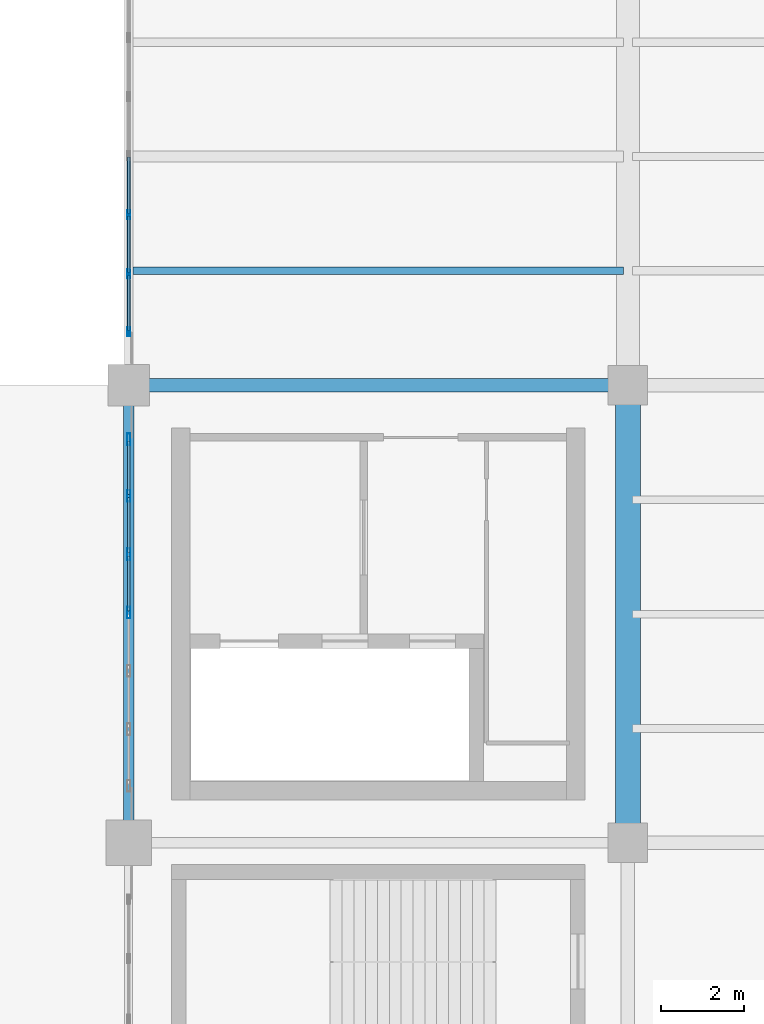
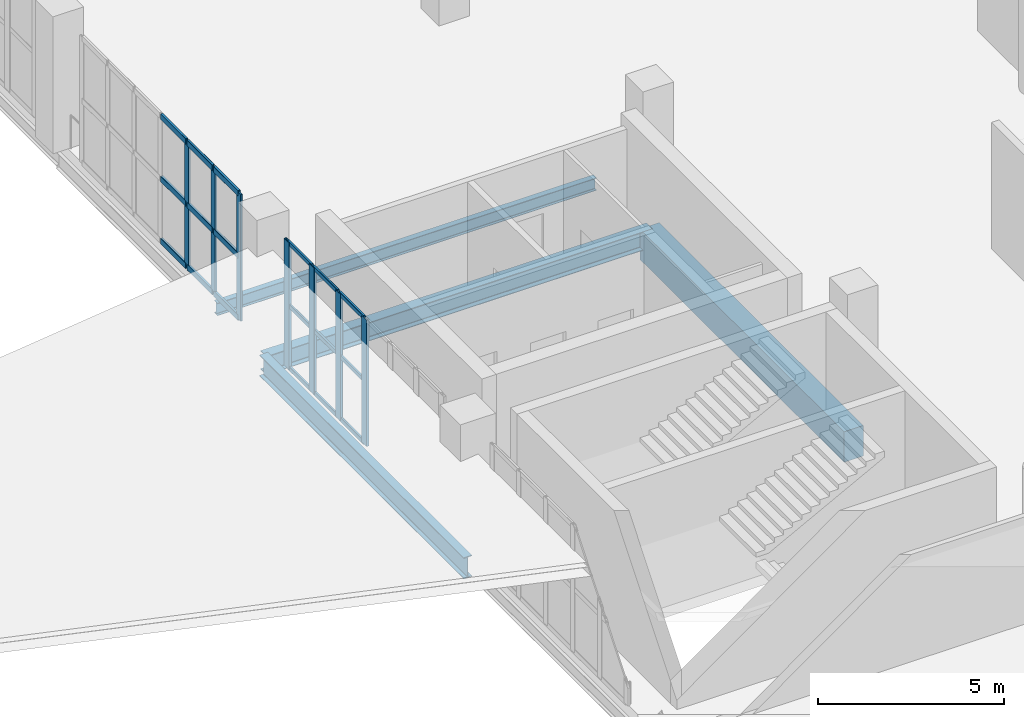
# One storey, part 24 of 90: 25 members, 4 beams, 2 elements without a shape of their own.
"""IFC4 building model written with IfcOpenShell, lengths in metres."""

import ifcopenshell
import ifcopenshell.guid

model = None  # the IFC model being written
_history = None  # IfcOwnerHistory: only IFC2X3 demands one
_inside = {}  # id of a spatial element -> (the spatial element, [elements in it])
_under = {}  # id of a project, library or spatial element -> (it, [spatial elements below it])
_declared = {}  # id of a project -> (the project, [libraries it declares])
_typed = {}  # id of a type object -> (the type object, [elements of that type])
_made_of = {}  # id of a material, layer set ... -> (it, [elements and type objects made of it])


def new_model(schema):
    """Start an empty IFC model of exactly this schema.

    Asked for "IFC4X3", IfcOpenShell would pick the latest addendum, in which some entities
    have other attributes; the version numbers below select the first issue.
    IFC2X3 requires an IfcOwnerHistory on every rooted entity: one is made here for all.
    """
    global model, _history
    if schema == "IFC4X3":
        model = ifcopenshell.file(schema_version=(4, 3, 0, 0))
    else:
        model = ifcopenshell.file(schema=schema)
    _inside.clear()
    _under.clear()
    _declared.clear()
    _typed.clear()
    _made_of.clear()
    _history = None
    if model.schema == "IFC2X3":
        org = make("IfcOrganization", Name="unknown")
        user = make(
            "IfcPersonAndOrganization",
            ThePerson=make("IfcPerson", FamilyName="unknown"),
            TheOrganization=org,
        )
        app = make(
            "IfcApplication",
            ApplicationDeveloper=org,
            Version="unknown",
            ApplicationFullName="unknown",
            ApplicationIdentifier="unknown",
        )
        _history = make(
            "IfcOwnerHistory",
            OwningUser=user,
            OwningApplication=app,
            ChangeAction="ADDED",
            CreationDate=0,
        )
    return model


def make(cls, **values):
    """One entity of the class cls with the attributes given. An attribute that is None is left unset."""
    return model.create_entity(
        cls, **{name: value for name, value in values.items() if value is not None}
    )


def rooted(cls, **values):
    """An entity with a GlobalId (a new one), such as an element, a storey or a relation."""
    return make(cls, GlobalId=ifcopenshell.guid.new(), OwnerHistory=_history, **values)


def si_unit(unit_type, name, prefix=None):
    """IfcSIUnit, for example si_unit("LENGTHUNIT", "METRE", prefix="MILLI")."""
    return make("IfcSIUnit", UnitType=unit_type, Prefix=prefix, Name=name)


def assignment(units):
    """IfcUnitAssignment: the units of a project."""
    return None if units is None else make("IfcUnitAssignment", Units=units)


def point(xyz):
    """IfcCartesianPoint."""
    return None if xyz is None else make("IfcCartesianPoint", Coordinates=xyz)


def direction(xyz):
    """IfcDirection."""
    return None if xyz is None else make("IfcDirection", DirectionRatios=xyz)


def frame(location, z_axis=None, x_axis=None):
    """IfcAxis2Placement3D, a coordinate frame: its origin and axes. An axis left out is left unset."""
    return make(
        "IfcAxis2Placement3D",
        Location=point(location),
        Axis=direction(z_axis),
        RefDirection=direction(x_axis),
    )


def frame_2d(location, x_axis=None):
    """IfcAxis2Placement2D, a coordinate frame in the plane: its origin and x axis."""
    return make(
        "IfcAxis2Placement2D", Location=point(location), RefDirection=direction(x_axis)
    )


def origin():
    """The frame at (0, 0, 0) with its axes left unset."""
    return frame((0.0, 0.0, 0.0))


def origin_2d():
    """The frame at (0, 0) in the plane with its x axis left unset."""
    return frame_2d((0.0, 0.0))


def place(relative_to, where):
    """IfcLocalPlacement: puts the frame where relative to a parent placement (None: the world)."""
    return make(
        "IfcLocalPlacement", PlacementRelTo=relative_to, RelativePlacement=where
    )


def context(
    kind, dimensions, precision=None, world=None, true_north=None, identifier=None
):
    """IfcGeometricRepresentationContext, for example the 3D "Model" context."""
    return make(
        "IfcGeometricRepresentationContext",
        ContextIdentifier=identifier,
        ContextType=kind,
        CoordinateSpaceDimension=dimensions,
        Precision=precision,
        WorldCoordinateSystem=world,
        TrueNorth=true_north,
    )


def subcontext(parent, identifier, kind, view, scale=None):
    """IfcGeometricRepresentationSubContext, for example "Body" below "Model"."""
    return make(
        "IfcGeometricRepresentationSubContext",
        ContextIdentifier=identifier,
        ContextType=kind,
        ParentContext=parent,
        TargetScale=scale,
        TargetView=view,
    )


def project(units=None, contexts=None):
    """IfcProject with its units and contexts."""
    return rooted(
        "IfcProject",
        Name="project",
        RepresentationContexts=contexts,
        UnitsInContext=assignment(units),
    )


def spatial(cls, under=None, at=None, **own):
    """A site, building, storey or space (cls), placed at a placement, below another one or the project."""
    s = rooted(cls, ObjectPlacement=at, **own)
    if under is not None:
        _under.setdefault(under.id(), (under, []))[1].append(s)
    return s


def profile(cls, at=None, kind="AREA", **sizes):
    """A parametric profile (cls). Its sizes go by their IFC names, for example OverallWidth=200.0."""
    return make(cls, ProfileType=kind, Position=at, **sizes)


def rectangle(**sizes):
    """IfcRectangleProfileDef."""
    return profile("IfcRectangleProfileDef", **sizes)


def hollow_rectangle(**sizes):
    """IfcRectangleHollowProfileDef."""
    return profile("IfcRectangleHollowProfileDef", **sizes)


def i_section(**sizes):
    """IfcIShapeProfileDef."""
    return profile("IfcIShapeProfileDef", **sizes)


def extrude(swept, where, along, depth):
    """IfcExtrudedAreaSolid: the profile swept, set in the frame where, extruded along a direction by depth."""
    return make(
        "IfcExtrudedAreaSolid",
        SweptArea=swept,
        Position=where,
        ExtrudedDirection=direction(along),
        Depth=depth,
    )


def shape(context_of_items, identifier, shape_type, items):
    """IfcShapeRepresentation: the items that make up one representation, for example the "Body"."""
    return make(
        "IfcShapeRepresentation",
        ContextOfItems=context_of_items,
        RepresentationIdentifier=identifier,
        RepresentationType=shape_type,
        Items=items,
    )


def material(Name=None, Category=None):
    """IfcMaterial."""
    return make("IfcMaterial", Name=Name, Category=Category)


def layer(
    of_material, thickness, ventilated=None, Name=None, Category=None, Priority=None
):
    """IfcMaterialLayer: one layer of a wall or slab, of a material (None: an air gap)."""
    return make(
        "IfcMaterialLayer",
        Material=of_material,
        LayerThickness=thickness,
        IsVentilated=ventilated,
        Name=Name,
        Category=Category,
        Priority=Priority,
    )


def layer_set(layers, Name=None):
    """IfcMaterialLayerSet."""
    return make("IfcMaterialLayerSet", MaterialLayers=layers, LayerSetName=Name)


def material_profile(
    of_material, cross_section, Name=None, Category=None, Priority=None
):
    """IfcMaterialProfile: a cross section and its material."""
    return make(
        "IfcMaterialProfile",
        Name=Name,
        Material=of_material,
        Profile=cross_section,
        Priority=Priority,
        Category=Category,
    )


def profile_set(profiles, Name=None, composite=None):
    """IfcMaterialProfileSet."""
    return make(
        "IfcMaterialProfileSet",
        Name=Name,
        MaterialProfiles=profiles,
        CompositeProfile=composite,
    )


def made_of(thing, what):
    """Note that an element or type object is made of a material, layer set ...; save() writes the relation."""
    if what is not None:
        _made_of.setdefault(what.id(), (what, []))[1].append(thing)
    return thing


def type_object(cls, material=None, **own):
    """A type object (cls), such as IfcWallType, which elements share."""
    return made_of(rooted(cls, **own), material)


def element(
    cls,
    number,
    at=None,
    inside=None,
    cuts=None,
    type_object=None,
    material=None,
    context=None,
    identifier="Body",
    shape_type=None,
    held_by="IfcProductDefinitionShape",
    body=None,
    shapes=None,
    **own,
):
    """One element of the class cls, such as IfcWall. Its Tag is "e" and its number.

    at: its placement. inside: the storey or other place that contains it. cuts: it is an
    opening in that element (IfcRelVoidsElement). A single representation is given by context,
    identifier, shape_type and body (its items); several are given by shapes. held_by: the class
    of the entity that holds the representations. save() writes the other relations.
    """
    e = rooted(cls, Tag="e%d" % number, ObjectPlacement=at, **own)
    if body is not None:
        shapes = [shape(context, identifier, shape_type, body)]
    if shapes is not None:
        e.Representation = make(held_by, Representations=shapes)
    if inside is not None:
        _inside.setdefault(inside.id(), (inside, []))[1].append(e)
    if cuts is not None:
        rooted(
            "IfcRelVoidsElement", RelatingBuildingElement=cuts, RelatedOpeningElement=e
        )
    if type_object is not None:
        _typed.setdefault(type_object.id(), (type_object, []))[1].append(e)
    return made_of(e, material)


def aggregate(whole, parts):
    """IfcRelAggregates: a whole, such as a stair, and the parts it consists of."""
    return rooted("IfcRelAggregates", RelatingObject=whole, RelatedObjects=parts)


def save(model, path):
    """Write the relations noted so far, then the file.

    IfcRelAggregates (storeys below a building ...), IfcRelContainedInSpatialStructure (elements
    in a storey), IfcRelDefinesByType, IfcRelAssociatesMaterial and IfcRelDeclares: one each for
    every whole, place, type object, material and project.
    """
    for whole, parts in _under.values():
        aggregate(whole, parts)
    for where, things in _inside.values():
        rooted(
            "IfcRelContainedInSpatialStructure",
            RelatedElements=things,
            RelatingStructure=where,
        )
    for kind, things in _typed.values():
        rooted("IfcRelDefinesByType", RelatedObjects=things, RelatingType=kind)
    for what, things in _made_of.values():
        rooted("IfcRelAssociatesMaterial", RelatedObjects=things, RelatingMaterial=what)
    for by, libraries in _declared.values():
        rooted("IfcRelDeclares", RelatingContext=by, RelatedDefinitions=libraries)
    model.write(path)


model = new_model("IFC4")

# Units and contexts
model_context = context("Model", 3, precision=1e-05, world=origin(), true_north=direction((0.0, 1.0)))
body_context = subcontext(model_context, "Body", "Model", "MODEL_VIEW")
ifc_project = project(units=[si_unit("LENGTHUNIT", "METRE"), si_unit("AREAUNIT", "SQUARE_METRE"), si_unit("VOLUMEUNIT", "CUBIC_METRE"), si_unit("PLANEANGLEUNIT", "RADIAN"), si_unit("MASSUNIT", "GRAM", prefix="KILO")], contexts=[model_context])

# Site, building, storey
site_placement = place(None, origin())
site = spatial("IfcSite", under=ifc_project, at=site_placement, CompositionType="ELEMENT")
building_placement = place(site_placement, origin())
building = spatial("IfcBuilding", under=site, at=building_placement, Name="Brinegate Civic Arena", CompositionType="ELEMENT")
storey_placement = place(building_placement, frame((0.0, 0.0, 14.699951171875)))
storey = spatial("IfcBuildingStorey", under=building, at=storey_placement, Name="L03", CompositionType="ELEMENT", Elevation=14.699951171875)

# Curtain wall, members
ifc_material_1 = material(Name="Marine grade aluminium", Category="aluminium")
ifc_layer = layer(ifc_material_1, 0.199951171875, Name="Marine grade aluminium")
ifc_layer_set = layer_set([ifc_layer], Name="Marine grade aluminium")
curtain_wall_type = type_object("IfcCurtainWallType", Name="CW-BOWL-GLAZED-01", PredefinedType="USERDEFINED", material=ifc_layer_set)
curtain_wall_1_placement = place(storey_placement, origin())
curtain_wall_1 = element("IfcCurtainWall", 1, at=curtain_wall_1_placement, inside=storey, type_object=curtain_wall_type, Name="Curtain Wall CWA-121", ObjectType="GLAZED CURTAIN WALL", PredefinedType="USERDEFINED")
ifc_material_profile_1 = material_profile(ifc_material_1, hollow_rectangle(XDim=0.06494140625, YDim=0.219970703125, WallThickness=0.006103515625, InnerFilletRadius=0.00390625, OuterFilletRadius=0.008056640625, at=origin_2d()), Name="MUL65X220")
ifc_profile_set_1 = profile_set([ifc_material_profile_1], Name="Marine grade aluminium")
member_type_1 = type_object("IfcMemberType", Name="CW-MULLION-65X220", PredefinedType="MULLION", material=ifc_profile_set_1)
member_1_placement = place(storey_placement, frame((48.0, 94.28955078125, 0.0), z_axis=(0.0, 0.0, 1.0), x_axis=(-1.0, 0.0, 0.0)))
member_1 = element("IfcMember", 2, at=member_1_placement, type_object=member_type_1, Name="CWA-121 mullion 1", PredefinedType="MULLION", context=body_context, shape_type="SweptSolid", body=[
    extrude(hollow_rectangle(XDim=0.06494140625, YDim=0.219970703125, WallThickness=0.006103515625, InnerFilletRadius=0.00390625, OuterFilletRadius=0.008056640625, at=origin_2d()), origin(), (0.0, 0.0, 1.0), 4.16015625),
])
member_2_placement = place(storey_placement, frame((48.0, 95.67724609375, 0.0), z_axis=(0.0, 0.0, 1.0), x_axis=(-1.0, 0.0, 0.0)))
member_2 = element("IfcMember", 3, at=member_2_placement, type_object=member_type_1, Name="CWA-121 mullion 2", PredefinedType="MULLION", context=body_context, shape_type="SweptSolid", body=[
    extrude(hollow_rectangle(XDim=0.06494140625, YDim=0.219970703125, WallThickness=0.006103515625, InnerFilletRadius=0.00390625, OuterFilletRadius=0.008056640625, at=origin_2d()), origin(), (0.0, 0.0, 1.0), 4.16015625),
])
member_3_placement = place(storey_placement, frame((48.0, 97.097412109375, 0.0), z_axis=(0.0, 0.0, 1.0), x_axis=(-1.0, 0.0, 0.0)))
member_3 = element("IfcMember", 4, at=member_3_placement, type_object=member_type_1, Name="CWA-121 mullion 3", PredefinedType="MULLION", context=body_context, shape_type="SweptSolid", body=[
    extrude(hollow_rectangle(XDim=0.06494140625, YDim=0.219970703125, WallThickness=0.006103515625, InnerFilletRadius=0.00390625, OuterFilletRadius=0.008056640625, at=origin_2d()), origin(), (0.0, 0.0, 1.0), 4.16015625),
])

curtain_wall_2_placement = place(storey_placement, origin())
curtain_wall_2 = element("IfcCurtainWall", 5, at=curtain_wall_2_placement, inside=storey, type_object=curtain_wall_type, Name="Curtain Wall CWA-119", ObjectType="GLAZED CURTAIN WALL", PredefinedType="USERDEFINED")
ifc_material_profile_2 = material_profile(ifc_material_1, hollow_rectangle(XDim=0.080078125, YDim=0.280029296875, WallThickness=0.007080078125, InnerFilletRadius=0.0048828125, OuterFilletRadius=0.010009765625, at=origin_2d()), Name="MUL80X280")
ifc_profile_set_2 = profile_set([ifc_material_profile_2], Name="Marine grade aluminium")
member_type_2 = type_object("IfcMemberType", Name="CW-MULLION-80X280", PredefinedType="MULLION", material=ifc_profile_set_2)
member_4_placement = place(storey_placement, frame((48.0, 87.535400390625, 0.0), z_axis=(0.0, 0.0, 1.0), x_axis=(-1.0, 0.0, 0.0)))
member_4 = element("IfcMember", 6, at=member_4_placement, type_object=member_type_2, Name="CWA-119 mullion 4", PredefinedType="MULLION", context=body_context, shape_type="SweptSolid", body=[
    extrude(hollow_rectangle(XDim=0.080078125, YDim=0.280029296875, WallThickness=0.007080078125, InnerFilletRadius=0.0048828125, OuterFilletRadius=0.010009765625, at=origin_2d()), origin(), (0.0, 0.0, 1.0), 4.16015625),
])
member_5_placement = place(storey_placement, frame((48.0, 88.93798828125, 0.0), z_axis=(0.0, 0.0, 1.0), x_axis=(-1.0, 0.0, 0.0)))
member_5 = element("IfcMember", 7, at=member_5_placement, type_object=member_type_2, Name="CWA-119 mullion 5", PredefinedType="MULLION", context=body_context, shape_type="SweptSolid", body=[
    extrude(hollow_rectangle(XDim=0.080078125, YDim=0.280029296875, WallThickness=0.007080078125, InnerFilletRadius=0.0048828125, OuterFilletRadius=0.010009765625, at=origin_2d()), origin(), (0.0, 0.0, 1.0), 4.16015625),
])
member_6_placement = place(storey_placement, frame((48.0, 90.340576171875, 0.0), z_axis=(0.0, 0.0, 1.0), x_axis=(-1.0, 0.0, 0.0)))
member_6 = element("IfcMember", 8, at=member_6_placement, type_object=member_type_2, Name="CWA-119 mullion 6", PredefinedType="MULLION", context=body_context, shape_type="SweptSolid", body=[
    extrude(hollow_rectangle(XDim=0.080078125, YDim=0.280029296875, WallThickness=0.007080078125, InnerFilletRadius=0.0048828125, OuterFilletRadius=0.010009765625, at=origin_2d()), origin(), (0.0, 0.0, 1.0), 4.16015625),
])
member_7_placement = place(storey_placement, frame((48.0, 91.702880859375, 0.0), z_axis=(0.0, 0.0, 1.0), x_axis=(-1.0, 0.0, 0.0)))
member_7 = element("IfcMember", 9, at=member_7_placement, type_object=member_type_2, Name="CWA-119 mullion 7", PredefinedType="MULLION", context=body_context, shape_type="SweptSolid", body=[
    extrude(hollow_rectangle(XDim=0.080078125, YDim=0.280029296875, WallThickness=0.007080078125, InnerFilletRadius=0.0048828125, OuterFilletRadius=0.010009765625, at=origin_2d()), origin(), (0.0, 0.0, 1.0), 4.16015625),
])
ifc_material_profile_3 = material_profile(ifc_material_1, hollow_rectangle(XDim=0.06494140625, YDim=0.139892578125, WallThickness=0.0048828125, InnerFilletRadius=0.00390625, OuterFilletRadius=0.008056640625, at=origin_2d()), Name="TRN65X140")
ifc_profile_set_3 = profile_set([ifc_material_profile_3], Name="Marine grade aluminium")
member_type_3 = type_object("IfcMemberType", Name="CW-TRANSOM-65X140", PredefinedType="USERDEFINED", material=ifc_profile_set_3)
member_8_placement = place(storey_placement, frame((48.0, 87.575439453125, 0.032470703125), z_axis=(0.0, 1.0, 0.0), x_axis=(-1.0, 0.0, 0.0)))
member_8 = element("IfcMember", 10, at=member_8_placement, type_object=member_type_3, Name="CWA-119 transom 4.1", ObjectType="TRANSOM", PredefinedType="USERDEFINED", context=body_context, shape_type="SweptSolid", body=[
    extrude(hollow_rectangle(XDim=0.06494140625, YDim=0.139892578125, WallThickness=0.0048828125, InnerFilletRadius=0.00390625, OuterFilletRadius=0.008056640625, at=origin_2d()), origin(), (0.0, 0.0, 1.0), 1.322509765625),
])
member_9_placement = place(storey_placement, frame((48.0, 87.575439453125, 2.080078125), z_axis=(0.0, 1.0, 0.0), x_axis=(-1.0, 0.0, 0.0)))
member_9 = element("IfcMember", 11, at=member_9_placement, type_object=member_type_3, Name="CWA-119 transom 4.2", ObjectType="TRANSOM", PredefinedType="USERDEFINED", context=body_context, shape_type="SweptSolid", body=[
    extrude(hollow_rectangle(XDim=0.06494140625, YDim=0.139892578125, WallThickness=0.0048828125, InnerFilletRadius=0.00390625, OuterFilletRadius=0.008056640625, at=origin_2d()), origin(), (0.0, 0.0, 1.0), 1.322509765625),
])
member_10_placement = place(storey_placement, frame((48.0, 87.575439453125, 4.12744140625), z_axis=(0.0, 1.0, 0.0), x_axis=(-1.0, 0.0, 0.0)))
member_10 = element("IfcMember", 12, at=member_10_placement, type_object=member_type_3, Name="CWA-119 transom 4.3", ObjectType="TRANSOM", PredefinedType="USERDEFINED", context=body_context, shape_type="SweptSolid", body=[
    extrude(hollow_rectangle(XDim=0.06494140625, YDim=0.139892578125, WallThickness=0.0048828125, InnerFilletRadius=0.00390625, OuterFilletRadius=0.008056640625, at=origin_2d()), origin(), (0.0, 0.0, 1.0), 1.322509765625),
])
member_11_placement = place(storey_placement, frame((48.0, 88.97802734375, 0.032470703125), z_axis=(0.0, 1.0, 0.0), x_axis=(-1.0, 0.0, 0.0)))
member_11 = element("IfcMember", 13, at=member_11_placement, type_object=member_type_3, Name="CWA-119 transom 5.1", ObjectType="TRANSOM", PredefinedType="USERDEFINED", context=body_context, shape_type="SweptSolid", body=[
    extrude(hollow_rectangle(XDim=0.06494140625, YDim=0.139892578125, WallThickness=0.0048828125, InnerFilletRadius=0.00390625, OuterFilletRadius=0.008056640625, at=origin_2d()), origin(), (0.0, 0.0, 1.0), 1.322509765625),
])
member_12_placement = place(storey_placement, frame((48.0, 88.97802734375, 2.080078125), z_axis=(0.0, 1.0, 0.0), x_axis=(-1.0, 0.0, 0.0)))
member_12 = element("IfcMember", 14, at=member_12_placement, type_object=member_type_3, Name="CWA-119 transom 5.2", ObjectType="TRANSOM", PredefinedType="USERDEFINED", context=body_context, shape_type="SweptSolid", body=[
    extrude(hollow_rectangle(XDim=0.06494140625, YDim=0.139892578125, WallThickness=0.0048828125, InnerFilletRadius=0.00390625, OuterFilletRadius=0.008056640625, at=origin_2d()), origin(), (0.0, 0.0, 1.0), 1.322509765625),
])
member_13_placement = place(storey_placement, frame((48.0, 88.97802734375, 4.12744140625), z_axis=(0.0, 1.0, 0.0), x_axis=(-1.0, 0.0, 0.0)))
member_13 = element("IfcMember", 15, at=member_13_placement, type_object=member_type_3, Name="CWA-119 transom 5.3", ObjectType="TRANSOM", PredefinedType="USERDEFINED", context=body_context, shape_type="SweptSolid", body=[
    extrude(hollow_rectangle(XDim=0.06494140625, YDim=0.139892578125, WallThickness=0.0048828125, InnerFilletRadius=0.00390625, OuterFilletRadius=0.008056640625, at=origin_2d()), origin(), (0.0, 0.0, 1.0), 1.322509765625),
])
member_14_placement = place(storey_placement, frame((48.0, 90.380615234375, 0.032470703125), z_axis=(0.0, 1.0, 0.0), x_axis=(-1.0, 0.0, 0.0)))
member_14 = element("IfcMember", 16, at=member_14_placement, type_object=member_type_3, Name="CWA-119 transom 6.1", ObjectType="TRANSOM", PredefinedType="USERDEFINED", context=body_context, shape_type="SweptSolid", body=[
    extrude(hollow_rectangle(XDim=0.06494140625, YDim=0.139892578125, WallThickness=0.0048828125, InnerFilletRadius=0.00390625, OuterFilletRadius=0.008056640625, at=origin_2d()), origin(), (0.0, 0.0, 1.0), 1.282470703125),
])
member_15_placement = place(storey_placement, frame((48.0, 90.380615234375, 2.080078125), z_axis=(0.0, 1.0, 0.0), x_axis=(-1.0, 0.0, 0.0)))
member_15 = element("IfcMember", 17, at=member_15_placement, type_object=member_type_3, Name="CWA-119 transom 6.2", ObjectType="TRANSOM", PredefinedType="USERDEFINED", context=body_context, shape_type="SweptSolid", body=[
    extrude(hollow_rectangle(XDim=0.06494140625, YDim=0.139892578125, WallThickness=0.0048828125, InnerFilletRadius=0.00390625, OuterFilletRadius=0.008056640625, at=origin_2d()), origin(), (0.0, 0.0, 1.0), 1.282470703125),
])
member_16_placement = place(storey_placement, frame((48.0, 90.380615234375, 4.12744140625), z_axis=(0.0, 1.0, 0.0), x_axis=(-1.0, 0.0, 0.0)))
member_16 = element("IfcMember", 18, at=member_16_placement, type_object=member_type_3, Name="CWA-119 transom 6.3", ObjectType="TRANSOM", PredefinedType="USERDEFINED", context=body_context, shape_type="SweptSolid", body=[
    extrude(hollow_rectangle(XDim=0.06494140625, YDim=0.139892578125, WallThickness=0.0048828125, InnerFilletRadius=0.00390625, OuterFilletRadius=0.008056640625, at=origin_2d()), origin(), (0.0, 0.0, 1.0), 1.282470703125),
])
aggregate(curtain_wall_2, [member_4, member_5, member_6, member_7, member_8, member_9, member_10, member_11, member_12, member_13, member_14, member_15, member_16])

# Member
ifc_material_profile_4 = material_profile(ifc_material_1, hollow_rectangle(XDim=0.074951171875, YDim=0.18994140625, WallThickness=0.006103515625, InnerFilletRadius=0.00390625, OuterFilletRadius=0.008056640625, at=origin_2d()), Name="TRN75X190")
ifc_profile_set_4 = profile_set([ifc_material_profile_4], Name="Marine grade aluminium")
member_type_4 = type_object("IfcMemberType", Name="CW-TRANSOM-75X190", PredefinedType="USERDEFINED", material=ifc_profile_set_4)
member_17_placement = place(storey_placement, frame((48.0, 94.322021484375, 0.03759765625), z_axis=(0.0, 1.0, 0.0), x_axis=(-1.0, 0.0, 0.0)))
member_17 = element("IfcMember", 19, at=member_17_placement, type_object=member_type_4, Name="CWA-121 transom 1.1", ObjectType="TRANSOM", PredefinedType="USERDEFINED", context=body_context, shape_type="SweptSolid", body=[
    extrude(hollow_rectangle(XDim=0.074951171875, YDim=0.18994140625, WallThickness=0.006103515625, InnerFilletRadius=0.00390625, OuterFilletRadius=0.008056640625, at=origin_2d()), origin(), (0.0, 0.0, 1.0), 1.32275390625),
])

member_18_placement = place(storey_placement, frame((48.0, 94.322021484375, 2.080078125), z_axis=(0.0, 1.0, 0.0), x_axis=(-1.0, 0.0, 0.0)))
member_18 = element("IfcMember", 20, at=member_18_placement, type_object=member_type_4, Name="CWA-121 transom 1.2", ObjectType="TRANSOM", PredefinedType="USERDEFINED", context=body_context, shape_type="SweptSolid", body=[
    extrude(hollow_rectangle(XDim=0.074951171875, YDim=0.18994140625, WallThickness=0.006103515625, InnerFilletRadius=0.00390625, OuterFilletRadius=0.008056640625, at=origin_2d()), origin(), (0.0, 0.0, 1.0), 1.32275390625),
])

member_19_placement = place(storey_placement, frame((48.0, 94.322021484375, 4.12255859375), z_axis=(0.0, 1.0, 0.0), x_axis=(-1.0, 0.0, 0.0)))
member_19 = element("IfcMember", 21, at=member_19_placement, type_object=member_type_4, Name="CWA-121 transom 1.3", ObjectType="TRANSOM", PredefinedType="USERDEFINED", context=body_context, shape_type="SweptSolid", body=[
    extrude(hollow_rectangle(XDim=0.074951171875, YDim=0.18994140625, WallThickness=0.006103515625, InnerFilletRadius=0.00390625, OuterFilletRadius=0.008056640625, at=origin_2d()), origin(), (0.0, 0.0, 1.0), 1.32275390625),
])

member_20_placement = place(storey_placement, frame((48.0, 95.709716796875, 0.03759765625), z_axis=(0.0, 1.0, 0.0), x_axis=(-1.0, 0.0, 0.0)))
member_20 = element("IfcMember", 22, at=member_20_placement, type_object=member_type_4, Name="CWA-121 transom 2.1", ObjectType="TRANSOM", PredefinedType="USERDEFINED", context=body_context, shape_type="SweptSolid", body=[
    extrude(hollow_rectangle(XDim=0.074951171875, YDim=0.18994140625, WallThickness=0.006103515625, InnerFilletRadius=0.00390625, OuterFilletRadius=0.008056640625, at=origin_2d()), origin(), (0.0, 0.0, 1.0), 1.355224609375),
])

member_21_placement = place(storey_placement, frame((48.0, 95.709716796875, 2.080078125), z_axis=(0.0, 1.0, 0.0), x_axis=(-1.0, 0.0, 0.0)))
member_21 = element("IfcMember", 23, at=member_21_placement, type_object=member_type_4, Name="CWA-121 transom 2.2", ObjectType="TRANSOM", PredefinedType="USERDEFINED", context=body_context, shape_type="SweptSolid", body=[
    extrude(hollow_rectangle(XDim=0.074951171875, YDim=0.18994140625, WallThickness=0.006103515625, InnerFilletRadius=0.00390625, OuterFilletRadius=0.008056640625, at=origin_2d()), origin(), (0.0, 0.0, 1.0), 1.355224609375),
])

member_22_placement = place(storey_placement, frame((48.0, 95.709716796875, 4.12255859375), z_axis=(0.0, 1.0, 0.0), x_axis=(-1.0, 0.0, 0.0)))
member_22 = element("IfcMember", 24, at=member_22_placement, type_object=member_type_4, Name="CWA-121 transom 2.3", ObjectType="TRANSOM", PredefinedType="USERDEFINED", context=body_context, shape_type="SweptSolid", body=[
    extrude(hollow_rectangle(XDim=0.074951171875, YDim=0.18994140625, WallThickness=0.006103515625, InnerFilletRadius=0.00390625, OuterFilletRadius=0.008056640625, at=origin_2d()), origin(), (0.0, 0.0, 1.0), 1.355224609375),
])

member_23_placement = place(storey_placement, frame((48.0, 97.1298828125, 0.03759765625), z_axis=(0.0, 1.0, 0.0), x_axis=(-1.0, 0.0, 0.0)))
member_23 = element("IfcMember", 25, at=member_23_placement, type_object=member_type_4, Name="CWA-121 transom 3.1", ObjectType="TRANSOM", PredefinedType="USERDEFINED", context=body_context, shape_type="SweptSolid", body=[
    extrude(hollow_rectangle(XDim=0.074951171875, YDim=0.18994140625, WallThickness=0.006103515625, InnerFilletRadius=0.00390625, OuterFilletRadius=0.008056640625, at=origin_2d()), origin(), (0.0, 0.0, 1.0), 1.355224609375),
])

member_24_placement = place(storey_placement, frame((48.0, 97.1298828125, 2.080078125), z_axis=(0.0, 1.0, 0.0), x_axis=(-1.0, 0.0, 0.0)))
member_24 = element("IfcMember", 26, at=member_24_placement, type_object=member_type_4, Name="CWA-121 transom 3.2", ObjectType="TRANSOM", PredefinedType="USERDEFINED", context=body_context, shape_type="SweptSolid", body=[
    extrude(hollow_rectangle(XDim=0.074951171875, YDim=0.18994140625, WallThickness=0.006103515625, InnerFilletRadius=0.00390625, OuterFilletRadius=0.008056640625, at=origin_2d()), origin(), (0.0, 0.0, 1.0), 1.355224609375),
])

member_25_placement = place(storey_placement, frame((48.0, 97.1298828125, 4.12255859375), z_axis=(0.0, 1.0, 0.0), x_axis=(-1.0, 0.0, 0.0)))
member_25 = element("IfcMember", 27, at=member_25_placement, type_object=member_type_4, Name="CWA-121 transom 3.3", ObjectType="TRANSOM", PredefinedType="USERDEFINED", context=body_context, shape_type="SweptSolid", body=[
    extrude(hollow_rectangle(XDim=0.074951171875, YDim=0.18994140625, WallThickness=0.006103515625, InnerFilletRadius=0.00390625, OuterFilletRadius=0.008056640625, at=origin_2d()), origin(), (0.0, 0.0, 1.0), 1.355224609375),
])

aggregate(curtain_wall_1, [member_1, member_2, member_3, member_17, member_18, member_19, member_20, member_21, member_22, member_23, member_24, member_25])

# Beams
ifc_material_2 = material(Name="Steel S355", Category="steel")
ifc_material_profile_5 = material_profile(ifc_material_2, i_section(OverallWidth=0.323974609375, OverallDepth=0.611083984375, WebThickness=0.012939453125, FlangeThickness=0.01904296875, FilletRadius=0.01611328125, at=origin_2d()), Name="W610X155")
ifc_profile_set_5 = profile_set([ifc_material_profile_5], Name="Steel S355")
beam_type_1 = type_object("IfcBeamType", Name="GIRDER-W610X155", PredefinedType="BEAM", material=ifc_profile_set_5)
beam_1_placement = place(storey_placement, frame((48.0, 93.0, -0.655029296875), z_axis=(1.0, 0.0, 0.0), x_axis=(0.0, 1.0, 0.0)))
element("IfcBeam", 28, at=beam_1_placement, inside=storey, type_object=beam_type_1, Name="Floor Girder BM-L03-GX-04-09", PredefinedType="BEAM", context=body_context, shape_type="SweptSolid", body=[
    extrude(i_section(OverallWidth=0.323974609375, OverallDepth=0.611083984375, WebThickness=0.012939453125, FlangeThickness=0.01904296875, FilletRadius=0.01611328125, at=origin_2d()), origin(), (0.0, 0.0, 1.0), 12.0),
])
ifc_material_profile_6 = material_profile(ifc_material_2, i_section(OverallWidth=0.178955078125, OverallDepth=0.409912109375, WebThickness=0.009033203125, FlangeThickness=0.013916015625, FilletRadius=0.013916015625, at=origin_2d()), Name="W410X67")
ifc_profile_set_6 = profile_set([ifc_material_profile_6], Name="Steel S355")
beam_type_2 = type_object("IfcBeamType", Name="JOIST-W410X67", PredefinedType="JOIST", material=ifc_profile_set_6)
beam_2_placement = place(storey_placement, frame((48.10595703125, 95.75, -0.554931640625), z_axis=(1.0, 0.0, 0.0), x_axis=(0.0, 1.0, 0.0)))
element("IfcBeam", 29, at=beam_2_placement, inside=storey, type_object=beam_type_2, Name="Secondary Joist BM-L03-JX-04-09-1", PredefinedType="JOIST", context=body_context, shape_type="SweptSolid", body=[
    extrude(i_section(OverallWidth=0.178955078125, OverallDepth=0.409912109375, WebThickness=0.009033203125, FlangeThickness=0.013916015625, FilletRadius=0.013916015625, at=origin_2d()), origin(), (0.0, 0.0, 1.0), 11.7880859375),
])
ifc_material_3 = material(Name="Concrete C50/60", Category="concrete")
ifc_material_profile_7 = material_profile(ifc_material_3, rectangle(XDim=0.60009765625, YDim=1.0, at=origin_2d()), Name="RCB600X1000")
ifc_profile_set_7 = profile_set([ifc_material_profile_7], Name="Concrete C50/60")
beam_type_3 = type_object("IfcBeamType", Name="RCG-600X1000", PredefinedType="BEAM", material=ifc_profile_set_7)
beam_3_placement = place(storey_placement, frame((60.0, 82.0, -0.849853515625), z_axis=(0.0, 1.0, 0.0), x_axis=(-1.0, 0.0, 0.0)))
element("IfcBeam", 30, at=beam_3_placement, inside=storey, type_object=beam_type_3, Name="Floor Girder BM-L03-GY-05-08", PredefinedType="BEAM", context=body_context, shape_type="SweptSolid", body=[
    extrude(rectangle(XDim=0.60009765625, YDim=1.0, at=origin_2d()), origin(), (0.0, 0.0, 1.0), 11.0),
])
ifc_material_profile_8 = material_profile(ifc_material_2, i_section(OverallWidth=0.256103515625, OverallDepth=0.693115234375, WebThickness=0.014892578125, FlangeThickness=0.02392578125, FilletRadius=0.01806640625, at=origin_2d()), Name="W690X170")
ifc_profile_set_8 = profile_set([ifc_material_profile_8], Name="Steel S355")
beam_type_4 = type_object("IfcBeamType", Name="SPANDREL-W690X170", PredefinedType="SPANDREL", material=ifc_profile_set_8)
beam_4_placement = place(storey_placement, frame((48.0, 82.0, -0.696044921875), z_axis=(0.0, 1.0, 0.0), x_axis=(-1.0, 0.0, 0.0)))
element("IfcBeam", 31, at=beam_4_placement, inside=storey, type_object=beam_type_4, Name="Floor Girder BM-L03-GY-04-08", PredefinedType="SPANDREL", context=body_context, shape_type="SweptSolid", body=[
    extrude(i_section(OverallWidth=0.256103515625, OverallDepth=0.693115234375, WebThickness=0.014892578125, FlangeThickness=0.02392578125, FilletRadius=0.01806640625, at=origin_2d()), origin(), (0.0, 0.0, 1.0), 11.0),
])

save(model, "model.ifc")
